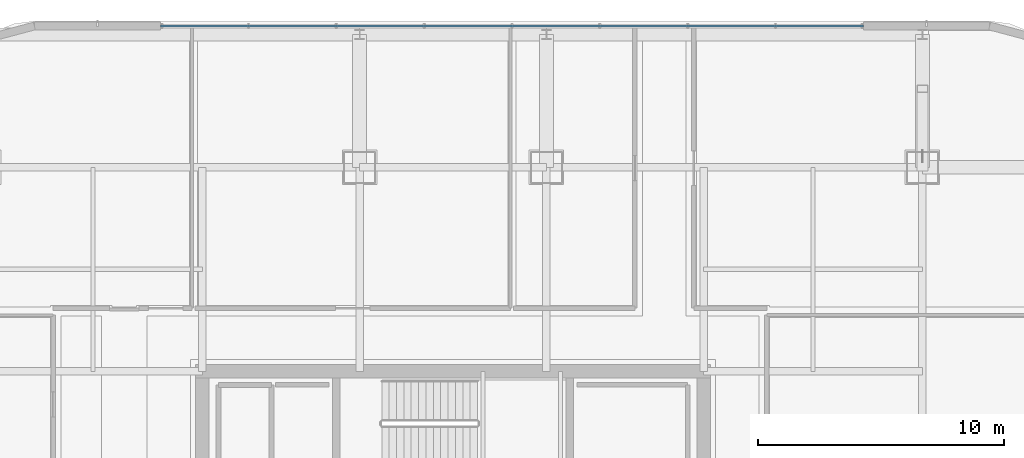
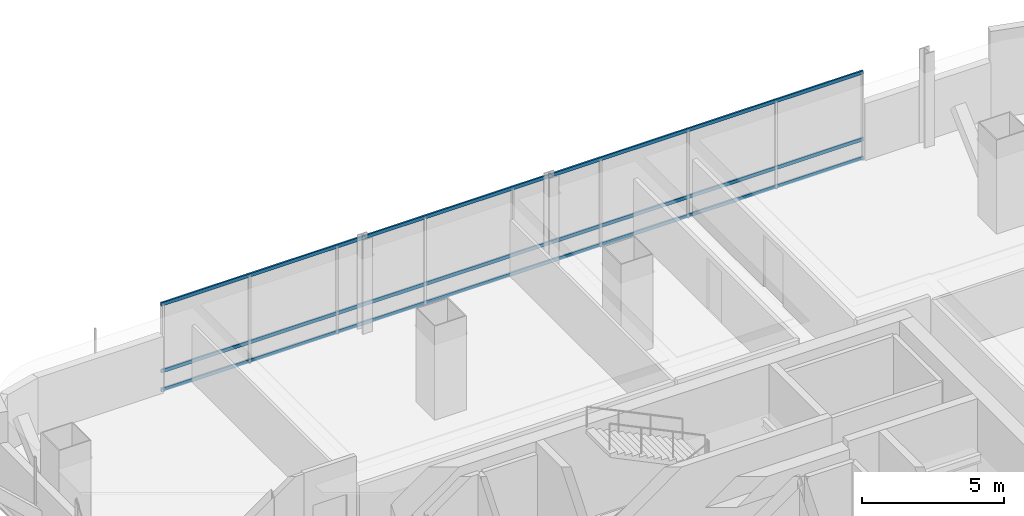
# One storey, part 27 of 51: 3 members, 1 element without a shape of its own.
"""IFC4 building model written with IfcOpenShell, lengths in metres."""

from ifc_helpers import new_model, si_unit, direction, frame, origin, origin_2d, place, context, subcontext, project, spatial, hollow_rectangle, extrude, material, material_profile, profile_set, type_object, element, aggregate, save


model = new_model("IFC4")

# Units and contexts
model_context = context("Model", 3, precision=1e-05, world=origin(), true_north=direction((0.0, 1.0)))
body_context = subcontext(model_context, "Body", "Model", "MODEL_VIEW")
ifc_project = project(units=[si_unit("LENGTHUNIT", "METRE"), si_unit("AREAUNIT", "SQUARE_METRE"), si_unit("VOLUMEUNIT", "CUBIC_METRE"), si_unit("PLANEANGLEUNIT", "RADIAN"), si_unit("MASSUNIT", "GRAM", prefix="KILO")], contexts=[model_context])

# Site, building, storey
site_placement = place(None, origin())
site = spatial("IfcSite", under=ifc_project, at=site_placement, CompositionType="ELEMENT")
building_placement = place(site_placement, origin())
building = spatial("IfcBuilding", under=site, at=building_placement, Name="Punatoya Terracotta Tower", CompositionType="ELEMENT")
storey_placement = place(building_placement, frame((0.0, 0.0, 279.75)))
storey = spatial("IfcBuildingStorey", under=building, at=storey_placement, Name="L66", CompositionType="ELEMENT", Elevation=279.75)

# Curtain wall, members
ifc_material_1 = material(Name="Aluminium 6063-T6 + Double Low-E Glass", Category="aluminium")
curtain_wall_type = type_object("IfcCurtainWallType", Name="CW-M3", PredefinedType="NOTDEFINED", material=ifc_material_1)
curtain_wall_placement = place(storey_placement, origin())
curtain_wall = element("IfcCurtainWall", 1, at=curtain_wall_placement, inside=storey, type_object=curtain_wall_type, Name="L66 Curtain Wall CW-L66-N09-1", PredefinedType="NOTDEFINED")
ifc_material_2 = material(Name="Aluminium 6063-T6", Category="aluminium")
ifc_material_profile = material_profile(ifc_material_2, hollow_rectangle(XDim=0.068115234375, YDim=0.14990234375, WallThickness=0.00390625, at=origin_2d()))
ifc_profile_set = profile_set([ifc_material_profile], Name="Aluminium 6063-T6")
member_type = type_object("IfcMemberType", Name="CW-TRN-TYP", PredefinedType="USERDEFINED", material=ifc_profile_set)
member_1_placement = place(storey_placement, frame((16.699951171875, 23.25, 0.0400390625), z_axis=(-1.0, 0.0, 0.0), x_axis=(0.0, -1.0, 0.0)))
member_1 = element("IfcMember", 2, at=member_1_placement, type_object=member_type, Name="CW-L66-N09-1 Transom 1", ObjectType="TRANSOM", PredefinedType="USERDEFINED", context=body_context, shape_type="SweptSolid", body=[
    extrude(hollow_rectangle(XDim=0.068115234375, YDim=0.14990234375, WallThickness=0.00390625, at=origin_2d()), origin(), (0.0, 0.0, 1.0), 28.599853515625),
])
member_2_placement = place(storey_placement, frame((16.699951171875, 23.25, 0.85009765625), z_axis=(-1.0, 0.0, 0.0), x_axis=(0.0, -1.0, 0.0)))
member_2 = element("IfcMember", 3, at=member_2_placement, type_object=member_type, Name="CW-L66-N09-1 Transom 2", ObjectType="TRANSOM", PredefinedType="USERDEFINED", context=body_context, shape_type="SweptSolid", body=[
    extrude(hollow_rectangle(XDim=0.068115234375, YDim=0.14990234375, WallThickness=0.00390625, at=origin_2d()), origin(), (0.0, 0.0, 1.0), 28.599853515625),
])
member_3_placement = place(storey_placement, frame((16.699951171875, 23.25, 3.72998046875), z_axis=(-1.0, 0.0, 0.0), x_axis=(0.0, -1.0, 0.0)))
member_3 = element("IfcMember", 4, at=member_3_placement, type_object=member_type, Name="CW-L66-N09-1 Transom 3", ObjectType="TRANSOM", PredefinedType="USERDEFINED", context=body_context, shape_type="SweptSolid", body=[
    extrude(hollow_rectangle(XDim=0.068115234375, YDim=0.14990234375, WallThickness=0.00390625, at=origin_2d()), origin(), (0.0, 0.0, 1.0), 28.599853515625),
])
aggregate(curtain_wall, [member_1, member_2, member_3])

save(model, "model.ifc")
